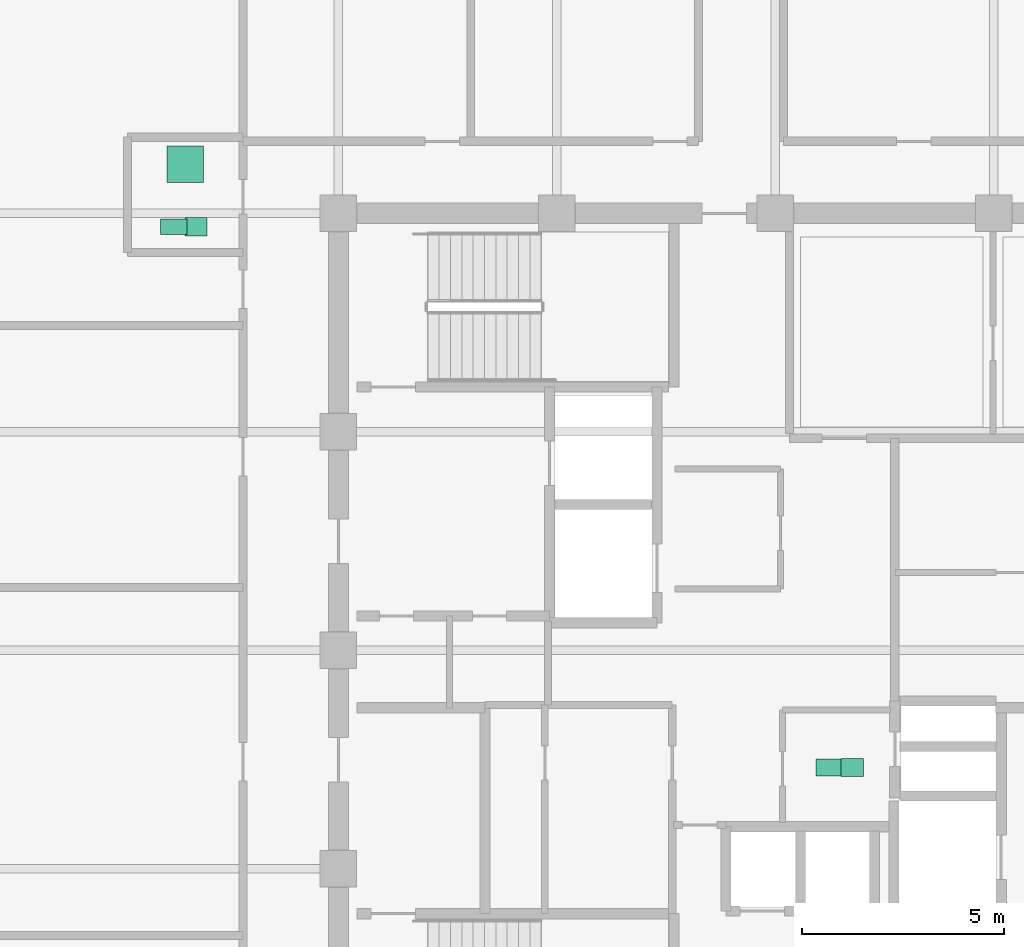
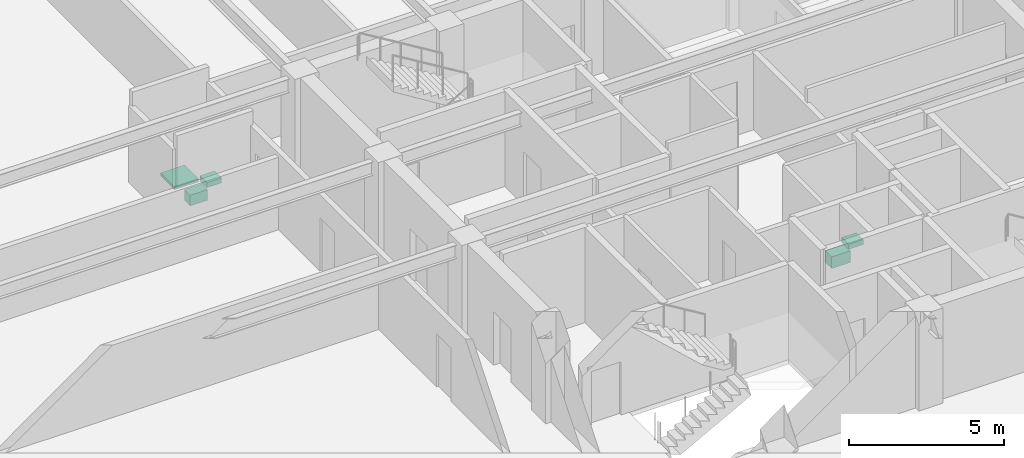
# One storey, part 32 of 32: 5 sanitary terminals.
"""IFC4 building model written with IfcOpenShell, lengths in metres."""

from ifc_helpers import new_model, si_unit, direction, frame, origin, origin_2d, place, context, subcontext, project, spatial, rectangle, extrude, material, type_object, element, save


model = new_model("IFC4")

# Units and contexts
model_context = context("Model", 3, precision=1e-05, world=origin(), true_north=direction((0.0, 1.0)))
body_context = subcontext(model_context, "Body", "Model", "MODEL_VIEW")
ifc_project = project(units=[si_unit("LENGTHUNIT", "METRE"), si_unit("AREAUNIT", "SQUARE_METRE"), si_unit("VOLUMEUNIT", "CUBIC_METRE"), si_unit("PLANEANGLEUNIT", "RADIAN"), si_unit("MASSUNIT", "GRAM", prefix="KILO")], contexts=[model_context])

# Site, building, storey
site_placement = place(None, origin())
site = spatial("IfcSite", under=ifc_project, at=site_placement, CompositionType="ELEMENT")
building_placement = place(site_placement, origin())
building = spatial("IfcBuilding", under=site, at=building_placement, Name="Surkhivell Harbour Commons", CompositionType="ELEMENT")
storey_placement = place(building_placement, frame((0.0, 0.0, 311.25)))
storey = spatial("IfcBuildingStorey", under=building, at=storey_placement, Name="L81", CompositionType="ELEMENT", Elevation=311.25)

# Sanitary terminals
ifc_material_1 = material(Name="Vitreous china washbasin", Category="other")
sanitary_terminal_type_1 = type_object("IfcSanitaryTerminalType", Name="SAN-BSN", PredefinedType="WASHHANDBASIN", material=ifc_material_1)
for number, where, z_axis, x_axis, name in (
    (1, (1.89990234375, -2.89990234375, 0.72021484375), (0.0, 0.0, 1.0), (1.0, 0.0, 0.0), "L81 Core Accessible WC Washbasin"),
    (2, (-14.320068359375, 10.469970703125, 0.72021484375), (0.0, 0.0, 1.0), (1.0, 0.0, 0.0), "L81 West Communal Bathroom WC Washbasin"),
):
    element("IfcSanitaryTerminal", number, at=place(storey_placement, frame(where, z_axis=z_axis, x_axis=x_axis)), inside=storey, type_object=sanitary_terminal_type_1, Name=name, PredefinedType="WASHHANDBASIN", context=body_context, shape_type="SweptSolid", body=[
        extrude(rectangle(XDim=0.550048828125, YDim=0.449951171875, at=origin_2d()), origin(), (0.0, 0.0, 1.0), 0.199951171875),
    ])
ifc_material_2 = material(Name="Glazed porcelain shower tray", Category="other")
sanitary_terminal_type_2 = type_object("IfcSanitaryTerminalType", Name="SAN-SHW", PredefinedType="SHOWER", material=ifc_material_2)
sanitary_terminal_1_placement = place(storey_placement, frame((-14.590087890625, 12.010009765625, 0.0), z_axis=(0.0, 0.0, 1.0), x_axis=(1.0, 0.0, 0.0)))
element("IfcSanitaryTerminal", 3, at=sanitary_terminal_1_placement, inside=storey, type_object=sanitary_terminal_type_2, Name="L81 West Communal Shower Tray", PredefinedType="SHOWER", context=body_context, shape_type="SweptSolid", body=[
    extrude(rectangle(XDim=0.89990234375, YDim=0.89990234375, at=origin_2d()), origin(), (0.0, 0.0, 1.0), 0.1201171875),
])
ifc_material_3 = material(Name="Vitreous china sanitaryware", Category="other")
sanitary_terminal_type_3 = type_object("IfcSanitaryTerminalType", Name="SAN-WC-ACC", PredefinedType="TOILETPAN", material=ifc_material_3)
sanitary_terminal_2_placement = place(storey_placement, frame((1.35009765625, -2.89990234375, 0.169921875), z_axis=(0.0, 0.0, 1.0), x_axis=(1.0, 0.0, 0.0)))
element("IfcSanitaryTerminal", 4, at=sanitary_terminal_2_placement, inside=storey, type_object=sanitary_terminal_type_3, Name="L81 Core Accessible WC", PredefinedType="TOILETPAN", context=body_context, shape_type="SweptSolid", body=[
    extrude(rectangle(XDim=0.699951171875, YDim=0.419921875, at=origin_2d()), origin(), (0.0, 0.0, 1.0), 0.4599609375),
])
sanitary_terminal_type_4 = type_object("IfcSanitaryTerminalType", Name="SAN-WC-STD", PredefinedType="TOILETPAN", material=ifc_material_3)
sanitary_terminal_3_placement = place(storey_placement, frame((-14.8701171875, 10.469970703125, 0.18994140625), z_axis=(0.0, 0.0, 1.0), x_axis=(1.0, 0.0, 0.0)))
element("IfcSanitaryTerminal", 5, at=sanitary_terminal_3_placement, inside=storey, type_object=sanitary_terminal_type_4, Name="L81 West Communal Bathroom WC", PredefinedType="TOILETPAN", context=body_context, shape_type="SweptSolid", body=[
    extrude(rectangle(XDim=0.64990234375, YDim=0.3798828125, at=origin_2d()), origin(), (0.0, 0.0, 1.0), 0.419921875),
])

save(model, "model.ifc")
